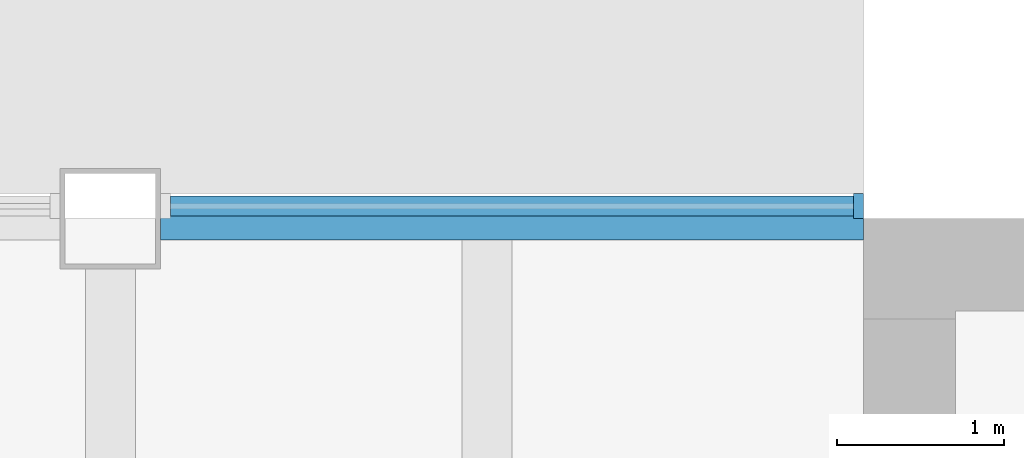
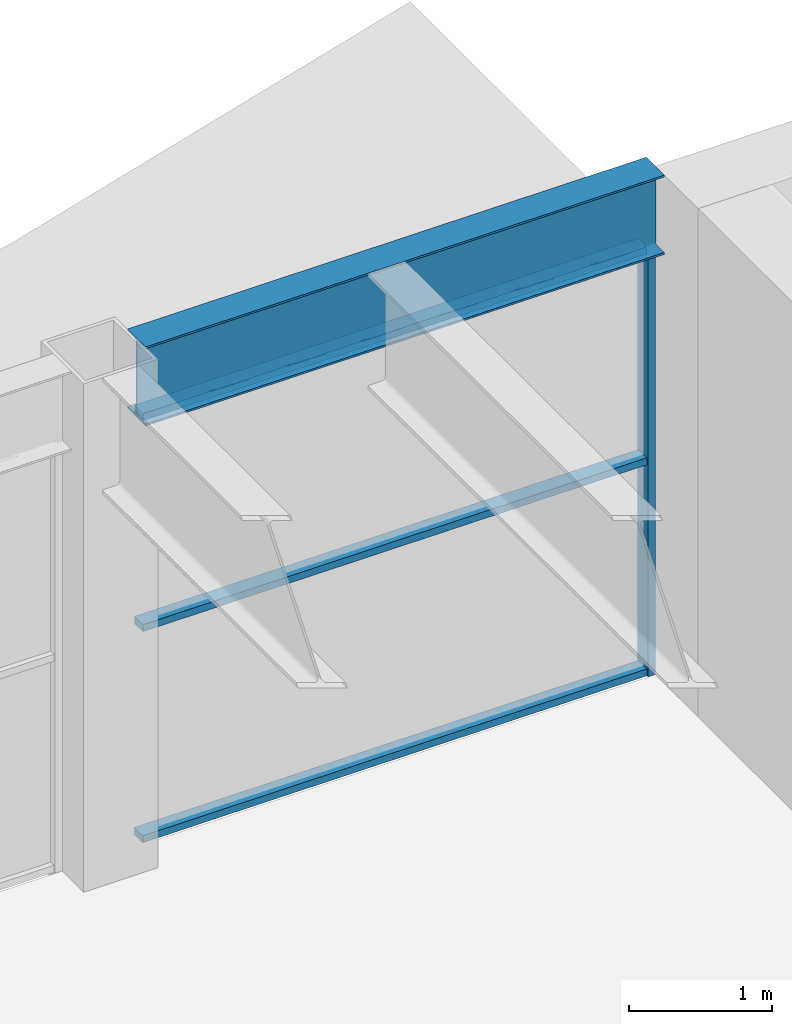
# One storey, part 6 of 14: 4 members, 1 beam, 1 element without a shape of its own.
"""IFC4 building model written with IfcOpenShell, lengths in metres."""

from ifc_helpers import new_model, si_unit, direction, frame, origin, origin_2d, place, context, subcontext, project, spatial, rectangle, i_section, extrude, material, material_profile, profile_set, type_object, element, aggregate, save


model = new_model("IFC4")

# Units and contexts
model_context = context("Model", 3, precision=1e-05, world=origin(), true_north=direction((0.0, 1.0)))
body_context = subcontext(model_context, "Body", "Model", "MODEL_VIEW")
ifc_project = project(units=[si_unit("LENGTHUNIT", "METRE"), si_unit("AREAUNIT", "SQUARE_METRE"), si_unit("VOLUMEUNIT", "CUBIC_METRE"), si_unit("PLANEANGLEUNIT", "RADIAN"), si_unit("MASSUNIT", "GRAM", prefix="KILO")], contexts=[model_context])

# Site, building, storey
site_placement = place(None, origin())
site = spatial("IfcSite", under=ifc_project, at=site_placement, CompositionType="ELEMENT")
building_placement = place(site_placement, origin())
building = spatial("IfcBuilding", under=site, at=building_placement, Name="Sennacour Bend Tower", CompositionType="ELEMENT")
storey_placement = place(building_placement, frame((0.0, 0.0, 336.5)))
storey = spatial("IfcBuildingStorey", under=building, at=storey_placement, Name="L77", CompositionType="ELEMENT", Elevation=336.5)

# Curtain wall, members
ifc_material_1 = material(Name="Bronze anodised aluminium curtain wall with clear glass", Category="aluminium")
curtain_wall_type = type_object("IfcCurtainWallType", Name="CURTAIN WALL EXEC", PredefinedType="NOTDEFINED", material=ifc_material_1)
curtain_wall_placement = place(storey_placement, origin())
curtain_wall = element("IfcCurtainWall", 1, at=curtain_wall_placement, inside=storey, type_object=curtain_wall_type, Name="Executive floor glass wall L77", PredefinedType="NOTDEFINED")
ifc_material_2 = material(Name="Aluminium 6063-T6", Category="aluminium")
ifc_material_profile_1 = material_profile(ifc_material_2, rectangle(XDim=0.14990234375, YDim=0.06005859375, at=origin_2d()), Name="Aluminium 6063-T6", Category="aluminium")
ifc_profile_set_1 = profile_set([ifc_material_profile_1], Name="Aluminium 6063-T6")
member_type_1 = type_object("IfcMemberType", Name="CW-MULLION-150X60", PredefinedType="MULLION", material=ifc_profile_set_1)
member_1_placement = place(storey_placement, frame((53.969970703125, 22.574951171875, 0.0), z_axis=(0.0, 0.0, 1.0), x_axis=(0.0, -1.0, 0.0)))
member_1 = element("IfcMember", 2, at=member_1_placement, type_object=member_type_1, Name="GW3 curtain wall mullion 1", PredefinedType="MULLION", context=body_context, shape_type="SweptSolid", body=[
    extrude(rectangle(XDim=0.14990234375, YDim=0.06005859375, at=origin_2d()), origin(), (0.0, 0.0, 1.0), 3.672119140625),
])
ifc_material_profile_2 = material_profile(ifc_material_2, rectangle(XDim=0.1201171875, YDim=0.06005859375, at=origin_2d()), Name="Aluminium 6063-T6", Category="aluminium")
ifc_profile_set_2 = profile_set([ifc_material_profile_2], Name="Aluminium 6063-T6")
member_type_2 = type_object("IfcMemberType", Name="CW-TRANSOM-120X60", PredefinedType="USERDEFINED", material=ifc_profile_set_2)
member_2_placement = place(storey_placement, frame((53.93994140625, 22.574951171875, 0.030029296875), z_axis=(-1.0, 0.0, 0.0), x_axis=(0.0, -1.0, 0.0)))
member_2 = element("IfcMember", 3, at=member_2_placement, type_object=member_type_2, Name="GW3 curtain wall transom 1.1", ObjectType="TRANSOM", PredefinedType="USERDEFINED", context=body_context, shape_type="SweptSolid", body=[
    extrude(rectangle(XDim=0.1201171875, YDim=0.06005859375, at=origin_2d()), origin(), (0.0, 0.0, 1.0), 4.079833984375),
])
member_3_placement = place(storey_placement, frame((53.93994140625, 22.574951171875, 1.8359375), z_axis=(-1.0, 0.0, 0.0), x_axis=(0.0, -1.0, 0.0)))
member_3 = element("IfcMember", 4, at=member_3_placement, type_object=member_type_2, Name="GW3 curtain wall transom 1.2", ObjectType="TRANSOM", PredefinedType="USERDEFINED", context=body_context, shape_type="SweptSolid", body=[
    extrude(rectangle(XDim=0.1201171875, YDim=0.06005859375, at=origin_2d()), origin(), (0.0, 0.0, 1.0), 4.079833984375),
])
member_4_placement = place(storey_placement, frame((53.93994140625, 22.574951171875, 3.64208984375), z_axis=(-1.0, 0.0, 0.0), x_axis=(0.0, -1.0, 0.0)))
member_4 = element("IfcMember", 5, at=member_4_placement, type_object=member_type_2, Name="GW3 curtain wall transom 1.3", ObjectType="TRANSOM", PredefinedType="USERDEFINED", context=body_context, shape_type="SweptSolid", body=[
    extrude(rectangle(XDim=0.1201171875, YDim=0.06005859375, at=origin_2d()), origin(), (0.0, 0.0, 1.0), 4.079833984375),
])
aggregate(curtain_wall, [member_1, member_2, member_3, member_4])

# Beam
ifc_material_3 = material(Name="Steel ASTM A992 Grade 50", Category="steel")
ifc_material_profile_3 = material_profile(ifc_material_3, i_section(OverallWidth=0.25390625, OverallDepth=0.677978515625, WebThickness=0.01171875, FlangeThickness=0.016357421875, FilletRadius=0.01513671875, at=origin_2d()), Name="Steel ASTM A992 Grade 50", Category="steel")
ifc_profile_set_3 = profile_set([ifc_material_profile_3], Name="Steel ASTM A992 Grade 50")
beam_type = type_object("IfcBeamType", Name="Spandrel beam W690X125", PredefinedType="SPANDREL", material=ifc_profile_set_3)
beam_placement = place(storey_placement, frame((49.800048828125, 22.5, 4.010986328125), z_axis=(1.0, 0.0, 0.0), x_axis=(0.0, 1.0, 0.0)))
element("IfcBeam", 6, at=beam_placement, inside=storey, type_object=beam_type, Name="Spandrel beam SP7 L78-017", PredefinedType="SPANDREL", context=body_context, shape_type="SweptSolid", body=[
    extrude(i_section(OverallWidth=0.25390625, OverallDepth=0.677978515625, WebThickness=0.01171875, FlangeThickness=0.016357421875, FilletRadius=0.01513671875, at=origin_2d()), origin(), (0.0, 0.0, 1.0), 4.199951171875),
])

save(model, "model.ifc")
